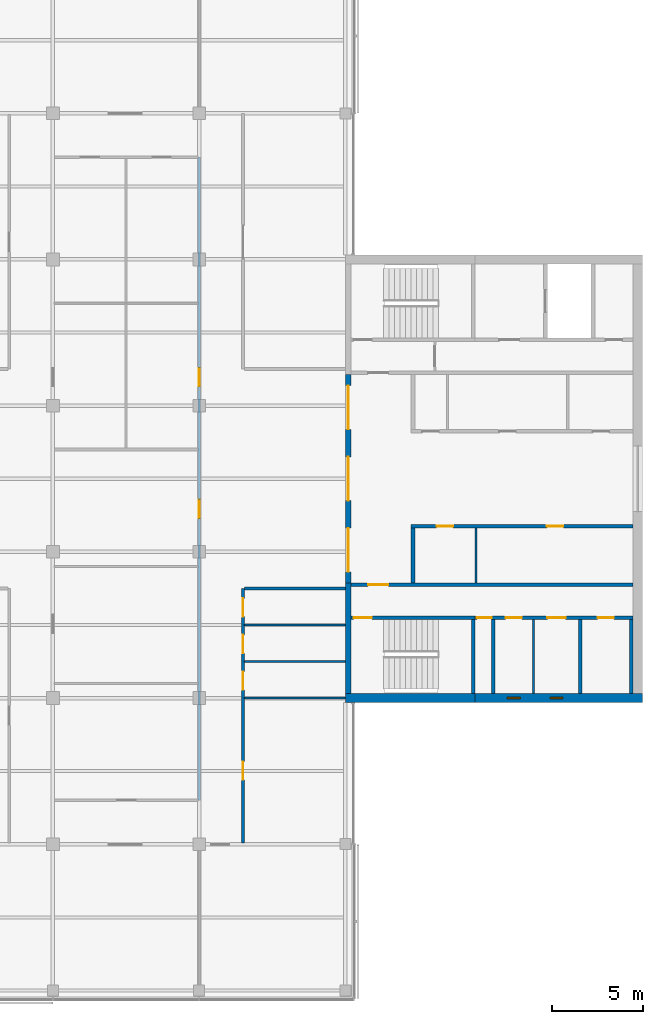
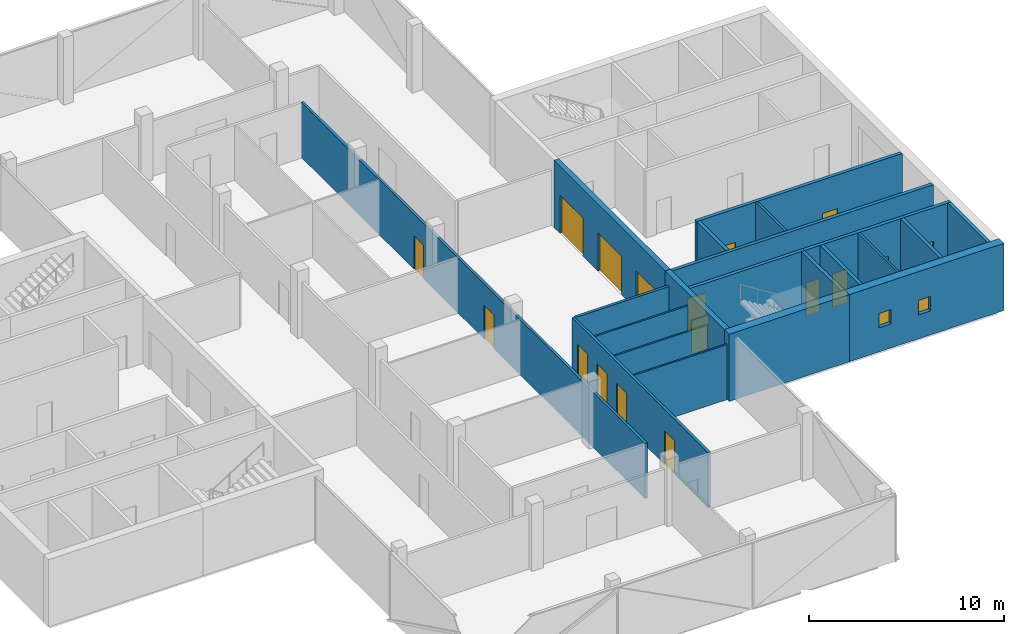
# One storey, part 10 of 15: 21 walls, 17 doors, 2 windows, 19 openings.
"""IFC4 building model written with IfcOpenShell, lengths in metres."""

import ifcopenshell
import ifcopenshell.guid

model = None  # the IFC model being written
_history = None  # IfcOwnerHistory: only IFC2X3 demands one
_inside = {}  # id of a spatial element -> (the spatial element, [elements in it])
_under = {}  # id of a project, library or spatial element -> (it, [spatial elements below it])
_declared = {}  # id of a project -> (the project, [libraries it declares])
_typed = {}  # id of a type object -> (the type object, [elements of that type])
_made_of = {}  # id of a material, layer set ... -> (it, [elements and type objects made of it])


def new_model(schema):
    """Start an empty IFC model of exactly this schema.

    Asked for "IFC4X3", IfcOpenShell would pick the latest addendum, in which some entities
    have other attributes; the version numbers below select the first issue.
    IFC2X3 requires an IfcOwnerHistory on every rooted entity: one is made here for all.
    """
    global model, _history
    if schema == "IFC4X3":
        model = ifcopenshell.file(schema_version=(4, 3, 0, 0))
    else:
        model = ifcopenshell.file(schema=schema)
    _inside.clear()
    _under.clear()
    _declared.clear()
    _typed.clear()
    _made_of.clear()
    _history = None
    if model.schema == "IFC2X3":
        org = make("IfcOrganization", Name="unknown")
        user = make(
            "IfcPersonAndOrganization",
            ThePerson=make("IfcPerson", FamilyName="unknown"),
            TheOrganization=org,
        )
        app = make(
            "IfcApplication",
            ApplicationDeveloper=org,
            Version="unknown",
            ApplicationFullName="unknown",
            ApplicationIdentifier="unknown",
        )
        _history = make(
            "IfcOwnerHistory",
            OwningUser=user,
            OwningApplication=app,
            ChangeAction="ADDED",
            CreationDate=0,
        )
    return model


def make(cls, **values):
    """One entity of the class cls with the attributes given. An attribute that is None is left unset."""
    return model.create_entity(
        cls, **{name: value for name, value in values.items() if value is not None}
    )


def rooted(cls, **values):
    """An entity with a GlobalId (a new one), such as an element, a storey or a relation."""
    return make(cls, GlobalId=ifcopenshell.guid.new(), OwnerHistory=_history, **values)


def si_unit(unit_type, name, prefix=None):
    """IfcSIUnit, for example si_unit("LENGTHUNIT", "METRE", prefix="MILLI")."""
    return make("IfcSIUnit", UnitType=unit_type, Prefix=prefix, Name=name)


def assignment(units):
    """IfcUnitAssignment: the units of a project."""
    return None if units is None else make("IfcUnitAssignment", Units=units)


def point(xyz):
    """IfcCartesianPoint."""
    return None if xyz is None else make("IfcCartesianPoint", Coordinates=xyz)


def direction(xyz):
    """IfcDirection."""
    return None if xyz is None else make("IfcDirection", DirectionRatios=xyz)


def frame(location, z_axis=None, x_axis=None):
    """IfcAxis2Placement3D, a coordinate frame: its origin and axes. An axis left out is left unset."""
    return make(
        "IfcAxis2Placement3D",
        Location=point(location),
        Axis=direction(z_axis),
        RefDirection=direction(x_axis),
    )


def frame_2d(location, x_axis=None):
    """IfcAxis2Placement2D, a coordinate frame in the plane: its origin and x axis."""
    return make(
        "IfcAxis2Placement2D", Location=point(location), RefDirection=direction(x_axis)
    )


def origin():
    """The frame at (0, 0, 0) with its axes left unset."""
    return frame((0.0, 0.0, 0.0))


def place(relative_to, where):
    """IfcLocalPlacement: puts the frame where relative to a parent placement (None: the world)."""
    return make(
        "IfcLocalPlacement", PlacementRelTo=relative_to, RelativePlacement=where
    )


def context(
    kind, dimensions, precision=None, world=None, true_north=None, identifier=None
):
    """IfcGeometricRepresentationContext, for example the 3D "Model" context."""
    return make(
        "IfcGeometricRepresentationContext",
        ContextIdentifier=identifier,
        ContextType=kind,
        CoordinateSpaceDimension=dimensions,
        Precision=precision,
        WorldCoordinateSystem=world,
        TrueNorth=true_north,
    )


def subcontext(parent, identifier, kind, view, scale=None):
    """IfcGeometricRepresentationSubContext, for example "Body" below "Model"."""
    return make(
        "IfcGeometricRepresentationSubContext",
        ContextIdentifier=identifier,
        ContextType=kind,
        ParentContext=parent,
        TargetScale=scale,
        TargetView=view,
    )


def project(units=None, contexts=None):
    """IfcProject with its units and contexts."""
    return rooted(
        "IfcProject",
        Name="project",
        RepresentationContexts=contexts,
        UnitsInContext=assignment(units),
    )


def spatial(cls, under=None, at=None, **own):
    """A site, building, storey or space (cls), placed at a placement, below another one or the project."""
    s = rooted(cls, ObjectPlacement=at, **own)
    if under is not None:
        _under.setdefault(under.id(), (under, []))[1].append(s)
    return s


def profile(cls, at=None, kind="AREA", **sizes):
    """A parametric profile (cls). Its sizes go by their IFC names, for example OverallWidth=200.0."""
    return make(cls, ProfileType=kind, Position=at, **sizes)


def rectangle(**sizes):
    """IfcRectangleProfileDef."""
    return profile("IfcRectangleProfileDef", **sizes)


def extrude(swept, where, along, depth):
    """IfcExtrudedAreaSolid: the profile swept, set in the frame where, extruded along a direction by depth."""
    return make(
        "IfcExtrudedAreaSolid",
        SweptArea=swept,
        Position=where,
        ExtrudedDirection=direction(along),
        Depth=depth,
    )


def shape(context_of_items, identifier, shape_type, items):
    """IfcShapeRepresentation: the items that make up one representation, for example the "Body"."""
    return make(
        "IfcShapeRepresentation",
        ContextOfItems=context_of_items,
        RepresentationIdentifier=identifier,
        RepresentationType=shape_type,
        Items=items,
    )


def material(Name=None, Category=None):
    """IfcMaterial."""
    return make("IfcMaterial", Name=Name, Category=Category)


def layer(
    of_material, thickness, ventilated=None, Name=None, Category=None, Priority=None
):
    """IfcMaterialLayer: one layer of a wall or slab, of a material (None: an air gap)."""
    return make(
        "IfcMaterialLayer",
        Material=of_material,
        LayerThickness=thickness,
        IsVentilated=ventilated,
        Name=Name,
        Category=Category,
        Priority=Priority,
    )


def layer_set(layers, Name=None):
    """IfcMaterialLayerSet."""
    return make("IfcMaterialLayerSet", MaterialLayers=layers, LayerSetName=Name)


def constituent(of_material, Name=None, Category=None, fraction=None):
    """IfcMaterialConstituent: one of the materials an element consists of."""
    return make(
        "IfcMaterialConstituent",
        Name=Name,
        Material=of_material,
        Fraction=fraction,
        Category=Category,
    )


def constituent_set(constituents=None, Name=None):
    """IfcMaterialConstituentSet."""
    return make(
        "IfcMaterialConstituentSet", Name=Name, MaterialConstituents=constituents
    )


def made_of(thing, what):
    """Note that an element or type object is made of a material, layer set ...; save() writes the relation."""
    if what is not None:
        _made_of.setdefault(what.id(), (what, []))[1].append(thing)
    return thing


def type_object(cls, material=None, **own):
    """A type object (cls), such as IfcWallType, which elements share."""
    return made_of(rooted(cls, **own), material)


def element(
    cls,
    number,
    at=None,
    inside=None,
    cuts=None,
    type_object=None,
    material=None,
    context=None,
    identifier="Body",
    shape_type=None,
    held_by="IfcProductDefinitionShape",
    body=None,
    shapes=None,
    **own,
):
    """One element of the class cls, such as IfcWall. Its Tag is "e" and its number.

    at: its placement. inside: the storey or other place that contains it. cuts: it is an
    opening in that element (IfcRelVoidsElement). A single representation is given by context,
    identifier, shape_type and body (its items); several are given by shapes. held_by: the class
    of the entity that holds the representations. save() writes the other relations.
    """
    e = rooted(cls, Tag="e%d" % number, ObjectPlacement=at, **own)
    if body is not None:
        shapes = [shape(context, identifier, shape_type, body)]
    if shapes is not None:
        e.Representation = make(held_by, Representations=shapes)
    if inside is not None:
        _inside.setdefault(inside.id(), (inside, []))[1].append(e)
    if cuts is not None:
        rooted(
            "IfcRelVoidsElement", RelatingBuildingElement=cuts, RelatedOpeningElement=e
        )
    if type_object is not None:
        _typed.setdefault(type_object.id(), (type_object, []))[1].append(e)
    return made_of(e, material)


def fill(opening, filler):
    """IfcRelFillsElement: the door or window that sits in an opening."""
    return rooted(
        "IfcRelFillsElement",
        RelatingOpeningElement=opening,
        RelatedBuildingElement=filler,
    )


def aggregate(whole, parts):
    """IfcRelAggregates: a whole, such as a stair, and the parts it consists of."""
    return rooted("IfcRelAggregates", RelatingObject=whole, RelatedObjects=parts)


def save(model, path):
    """Write the relations noted so far, then the file.

    IfcRelAggregates (storeys below a building ...), IfcRelContainedInSpatialStructure (elements
    in a storey), IfcRelDefinesByType, IfcRelAssociatesMaterial and IfcRelDeclares: one each for
    every whole, place, type object, material and project.
    """
    for whole, parts in _under.values():
        aggregate(whole, parts)
    for where, things in _inside.values():
        rooted(
            "IfcRelContainedInSpatialStructure",
            RelatedElements=things,
            RelatingStructure=where,
        )
    for kind, things in _typed.values():
        rooted("IfcRelDefinesByType", RelatedObjects=things, RelatingType=kind)
    for what, things in _made_of.values():
        rooted("IfcRelAssociatesMaterial", RelatedObjects=things, RelatingMaterial=what)
    for by, libraries in _declared.values():
        rooted("IfcRelDeclares", RelatingContext=by, RelatedDefinitions=libraries)
    model.write(path)


model = new_model("IFC4")

# Units and contexts
model_context = context("Model", 3, precision=1e-05, world=origin(), true_north=direction((0.0, 1.0)))
body_context = subcontext(model_context, "Body", "Model", "MODEL_VIEW")
ifc_project = project(units=[si_unit("LENGTHUNIT", "METRE"), si_unit("AREAUNIT", "SQUARE_METRE"), si_unit("VOLUMEUNIT", "CUBIC_METRE"), si_unit("PLANEANGLEUNIT", "RADIAN"), si_unit("MASSUNIT", "GRAM", prefix="KILO")], contexts=[model_context])

# Site, building, storey
site_placement = place(None, origin())
site = spatial("IfcSite", under=ifc_project, at=site_placement, CompositionType="ELEMENT")
building_placement = place(site_placement, origin())
building = spatial("IfcBuilding", under=site, at=building_placement, Name="Crosswind Convention Tower", CompositionType="ELEMENT")
storey_placement = place(building_placement, frame((0.0, 0.0, 266.10009765625)))
storey = spatial("IfcBuildingStorey", under=building, at=storey_placement, Name="L57", CompositionType="ELEMENT", Elevation=266.10009765625)

# Wall
ifc_material_1 = material(Name="Concrete blockwork", Category="masonry")
ifc_layer_1 = layer(ifc_material_1, 0.199951171875)
ifc_layer_set_1 = layer_set([ifc_layer_1], Name="Blockwork partition wall 200")
wall_type_1 = type_object("IfcWallType", Name="Blockwork partition wall 200", PredefinedType="PARTITIONING", material=ifc_layer_set_1)
wall_1_placement = place(storey_placement, frame((145.10009765625, 88.25, 0.0), z_axis=(0.0, 0.0, 1.0), x_axis=(0.0, 1.0, 0.0)))
element("IfcWall", 1, at=wall_1_placement, inside=storey, type_object=wall_type_1, Name="Wall MRSE E L57", PredefinedType="PARTITIONING", context=body_context, shape_type="SweptSolid", body=[
    extrude(rectangle(XDim=4.050048828125, YDim=0.199951171875, at=frame_2d((2.02490234375, 0.0))), origin(), (0.0, 0.0, 1.0), 4.199951171875),
])

# Wall, openings, doors
ifc_material_2 = material(Name="Concrete C50/60", Category="concrete")
ifc_layer_2 = layer(ifc_material_2, 0.300048828125)
ifc_layer_set_2 = layer_set([ifc_layer_2], Name="Concrete C50/60")
wall_type_2 = type_object("IfcWallType", Name="Concrete inner core wall 300", PredefinedType="SHEAR", material=ifc_layer_set_2)
wall_2_placement = place(storey_placement, frame((137.14990234375, 94.300048828125, 0.0), z_axis=(0.0, 0.0, 1.0), x_axis=(0.0, 1.0, 0.0)))
wall_2 = element("IfcWall", 2, at=wall_2_placement, inside=storey, type_object=wall_type_2, Name="Wall SCR E L57", PredefinedType="SHEAR", context=body_context, shape_type="SweptSolid", body=[
    extrude(rectangle(XDim=11.39990234375, YDim=0.300048828125, at=frame_2d((5.699951171875, 0.0))), origin(), (0.0, 0.0, 1.0), 4.199951171875),
])
opening_1_placement = place(wall_2_placement, frame((0.60009765625, 0.0, 0.0)))
opening_1 = element("IfcOpeningElement", 3, at=opening_1_placement, cuts=wall_2, Name="Opening D100", PredefinedType="OPENING", context=body_context, shape_type="SweptSolid", body=[
    extrude(rectangle(XDim=2.39990234375, YDim=2.39990234375, at=frame_2d((1.199951171875, 1.199951171875))), frame((0.0, 0.159912109375, 0.0), z_axis=(0.0, -1.0, 0.0), x_axis=(1.0, 0.0, 0.0)), (0.0, 0.0, 1.0), 0.320068359375),
])
opening_2_placement = place(wall_2_placement, frame((4.5, 0.0, 0.0)))
opening_2 = element("IfcOpeningElement", 4, at=opening_2_placement, cuts=wall_2, Name="Opening D100", PredefinedType="OPENING", context=body_context, shape_type="SweptSolid", body=[
    extrude(rectangle(XDim=2.39990234375, YDim=2.39990234375, at=frame_2d((1.199951171875, 1.199951171875))), frame((0.0, 0.159912109375, 0.0), z_axis=(0.0, -1.0, 0.0), x_axis=(1.0, 0.0, 0.0)), (0.0, 0.0, 1.0), 0.320068359375),
])
opening_3_placement = place(wall_2_placement, frame((8.39990234375, 0.0, 0.0)))
opening_3 = element("IfcOpeningElement", 5, at=opening_3_placement, cuts=wall_2, Name="Opening D100", PredefinedType="OPENING", context=body_context, shape_type="SweptSolid", body=[
    extrude(rectangle(XDim=2.39990234375, YDim=2.39990234375, at=frame_2d((1.199951171875, 1.199951171875))), frame((0.0, 0.159912109375, 0.0), z_axis=(0.0, -1.0, 0.0), x_axis=(1.0, 0.0, 0.0)), (0.0, 0.0, 1.0), 0.320068359375),
])
ifc_material_3 = material(Name="Steel fire door with glazed vision panels", Category="steel")
door_type_1 = type_object("IfcDoorType", Name="Fire-rated double door 2400x2400", OperationType="DOUBLE_DOOR_SINGLE_SWING", PredefinedType="DOOR", material=ifc_material_3)
door_1_placement = place(opening_1_placement, origin())
door_1 = element("IfcDoor", 6, at=door_1_placement, inside=storey, type_object=door_type_1, Name="Lobby door 1 L57", ObjectType="D100", OperationType="DOUBLE_DOOR_SINGLE_SWING", OverallHeight=2.39990234375, OverallWidth=2.39990234375, PredefinedType="DOOR", context=body_context, shape_type="SweptSolid", body=[
    extrude(rectangle(XDim=2.39990234375, YDim=2.39990234375, at=frame_2d((1.199951171875, 1.199951171875))), frame((0.0, 0.02490234375, 0.0), z_axis=(0.0, -1.0, 0.0), x_axis=(1.0, 0.0, 0.0)), (0.0, 0.0, 1.0), 0.050048828125),
])
fill(opening_1, door_1)
door_2_placement = place(opening_2_placement, origin())
door_2 = element("IfcDoor", 7, at=door_2_placement, inside=storey, type_object=door_type_1, Name="Lobby door 2 L57", ObjectType="D100", OperationType="DOUBLE_DOOR_SINGLE_SWING", OverallHeight=2.39990234375, OverallWidth=2.39990234375, PredefinedType="DOOR", context=body_context, shape_type="SweptSolid", body=[
    extrude(rectangle(XDim=2.39990234375, YDim=2.39990234375, at=frame_2d((1.199951171875, 1.199951171875))), frame((0.0, 0.02490234375, 0.0), z_axis=(0.0, -1.0, 0.0), x_axis=(1.0, 0.0, 0.0)), (0.0, 0.0, 1.0), 0.050048828125),
])
fill(opening_2, door_2)
door_3_placement = place(opening_3_placement, origin())
door_3 = element("IfcDoor", 8, at=door_3_placement, inside=storey, type_object=door_type_1, Name="Lobby door 3 L57", ObjectType="D100", OperationType="DOUBLE_DOOR_SINGLE_SWING", OverallHeight=2.39990234375, OverallWidth=2.39990234375, PredefinedType="DOOR", context=body_context, shape_type="SweptSolid", body=[
    extrude(rectangle(XDim=2.39990234375, YDim=2.39990234375, at=frame_2d((1.199951171875, 1.199951171875))), frame((0.0, 0.02490234375, 0.0), z_axis=(0.0, -1.0, 0.0), x_axis=(1.0, 0.0, 0.0)), (0.0, 0.0, 1.0), 0.050048828125),
])
fill(opening_3, door_3)

# Walls
wall_3_placement = place(storey_placement, frame((137.14990234375, 88.25, 0.0), z_axis=(0.0, 0.0, 1.0), x_axis=(0.0, 1.0, 0.0)))
element("IfcWall", 9, at=wall_3_placement, inside=storey, type_object=wall_type_2, Name="Wall EM E L57", PredefinedType="SHEAR", context=body_context, shape_type="SweptSolid", body=[
    extrude(rectangle(XDim=6.050048828125, YDim=0.300048828125, at=frame_2d((3.02490234375, 0.0))), origin(), (0.0, 0.0, 1.0), 4.199951171875),
])
ifc_layer_3 = layer(ifc_material_2, 0.199951171875)
ifc_layer_set_3 = layer_set([ifc_layer_3], Name="Concrete C50/60")
wall_type_3 = type_object("IfcWallType", Name="Concrete shaft and stair wall 200", PredefinedType="SHEAR", material=ifc_layer_set_3)
wall_4_placement = place(storey_placement, frame((140.699951171875, 94.300048828125, 0.0), z_axis=(0.0, 0.0, 1.0), x_axis=(0.0, 1.0, 0.0)))
element("IfcWall", 10, at=wall_4_placement, inside=storey, type_object=wall_type_3, Name="Wall RMEND E L57", PredefinedType="SHEAR", context=body_context, shape_type="SweptSolid", body=[
    extrude(rectangle(XDim=3.0, YDim=0.199951171875, at=frame_2d((1.5, 0.0))), origin(), (0.0, 0.0, 1.0), 4.199951171875),
])

# Wall, openings, doors
wall_5_placement = place(storey_placement, frame((140.60009765625, 97.39990234375, 0.0), z_axis=(0.0, 0.0, 1.0), x_axis=(1.0, 0.0, 0.0)))
wall_5 = element("IfcWall", 11, at=wall_5_placement, inside=storey, type_object=wall_type_3, Name="Wall RMFRONT E L57", PredefinedType="SHEAR", context=body_context, shape_type="SweptSolid", body=[
    extrude(rectangle(XDim=12.14990234375, YDim=0.199951171875, at=frame_2d((6.074951171875, 0.0))), origin(), (0.0, 0.0, 1.0), 4.199951171875),
])
opening_4_placement = place(wall_5_placement, frame((1.391845703125, 0.0, 0.0)))
opening_4 = element("IfcOpeningElement", 12, at=opening_4_placement, cuts=wall_5, Name="Opening D106", PredefinedType="OPENING", context=body_context, shape_type="SweptSolid", body=[
    extrude(rectangle(XDim=0.89990234375, YDim=2.10009765625, at=frame_2d((0.449951171875, 1.050048828125))), frame((0.0, 0.10986328125, 0.0), z_axis=(0.0, -1.0, 0.0), x_axis=(1.0, 0.0, 0.0)), (0.0, 0.0, 1.0), 0.219970703125),
])
opening_5_placement = place(wall_5_placement, frame((7.42919921875, 0.0, 0.0)))
opening_5 = element("IfcOpeningElement", 13, at=opening_5_placement, cuts=wall_5, Name="Opening D106", PredefinedType="OPENING", context=body_context, shape_type="SweptSolid", body=[
    extrude(rectangle(XDim=0.89990234375, YDim=2.10009765625, at=frame_2d((0.449951171875, 1.050048828125))), frame((0.0, 0.10986328125, 0.0), z_axis=(0.0, -1.0, 0.0), x_axis=(1.0, 0.0, 0.0)), (0.0, 0.0, 1.0), 0.219970703125),
])
ifc_material_4 = material(Name="Timber door", Category="wood")
door_type_2 = type_object("IfcDoorType", Name="Single leaf door 900x2100", OperationType="NOTDEFINED", PredefinedType="DOOR", material=ifc_material_4)
door_4_placement = place(opening_4_placement, frame((0.89990234375, 0.0, 0.0), z_axis=(0.0, 0.0, 1.0), x_axis=(-1.0, 0.0, 0.0)))
door_4 = element("IfcDoor", 14, at=door_4_placement, inside=storey, type_object=door_type_2, Name="Door to copy and print room L57", ObjectType="D106", OperationType="SINGLE_SWING_LEFT", OverallHeight=2.10009765625, OverallWidth=0.89990234375, PredefinedType="DOOR", context=body_context, shape_type="SweptSolid", body=[
    extrude(rectangle(XDim=0.89990234375, YDim=2.10009765625, at=frame_2d((0.449951171875, 1.050048828125))), frame((0.0, 0.02490234375, 0.0), z_axis=(0.0, -1.0, 0.0), x_axis=(1.0, 0.0, 0.0)), (0.0, 0.0, 1.0), 0.050048828125),
])
fill(opening_4, door_4)
door_5_placement = place(opening_5_placement, frame((0.89990234375, 0.0, 0.0), z_axis=(0.0, 0.0, 1.0), x_axis=(-1.0, 0.0, 0.0)))
door_5 = element("IfcDoor", 15, at=door_5_placement, inside=storey, type_object=door_type_2, Name="Door to meeting room L57", ObjectType="D106", OperationType="SINGLE_SWING_LEFT", OverallHeight=2.10009765625, OverallWidth=0.89990234375, PredefinedType="DOOR", context=body_context, shape_type="SweptSolid", body=[
    extrude(rectangle(XDim=0.89990234375, YDim=2.10009765625, at=frame_2d((0.449951171875, 1.050048828125))), frame((0.0, 0.02490234375, 0.0), z_axis=(0.0, -1.0, 0.0), x_axis=(1.0, 0.0, 0.0)), (0.0, 0.0, 1.0), 0.050048828125),
])
fill(opening_5, door_5)

# Wall, opening, door
wall_6_placement = place(storey_placement, frame((137.300048828125, 94.199951171875, 0.0), z_axis=(0.0, 0.0, 1.0), x_axis=(1.0, 0.0, 0.0)))
wall_6 = element("IfcWall", 16, at=wall_6_placement, inside=storey, type_object=wall_type_3, Name="Wall HM E L57", PredefinedType="SHEAR", context=body_context, shape_type="SweptSolid", body=[
    extrude(rectangle(XDim=15.449951171875, YDim=0.199951171875, at=frame_2d((7.72509765625, 0.0))), origin(), (0.0, 0.0, 1.0), 4.199951171875),
])
opening_6_placement = place(wall_6_placement, frame((0.949951171875, 0.0, 0.0)))
opening_6 = element("IfcOpeningElement", 17, at=opening_6_placement, cuts=wall_6, Name="Opening D104", PredefinedType="OPENING", context=body_context, shape_type="SweptSolid", body=[
    extrude(rectangle(XDim=1.10009765625, YDim=2.10009765625, at=frame_2d((0.550048828125, 1.050048828125))), frame((0.0, 0.10986328125, 0.0), z_axis=(0.0, -1.0, 0.0), x_axis=(1.0, 0.0, 0.0)), (0.0, 0.0, 1.0), 0.219970703125),
])
ifc_material_5 = material(Name="Steel fire door", Category="steel")
door_type_3 = type_object("IfcDoorType", Name="Fire-rated single door 1100x2100", OperationType="NOTDEFINED", PredefinedType="DOOR", material=ifc_material_5)
door_6_placement = place(opening_6_placement, origin())
door_6 = element("IfcDoor", 18, at=door_6_placement, inside=storey, type_object=door_type_3, Name="Corridor door L57", ObjectType="D104", OperationType="SINGLE_SWING_LEFT", OverallHeight=2.10009765625, OverallWidth=1.10009765625, PredefinedType="DOOR", context=body_context, shape_type="SweptSolid", body=[
    extrude(rectangle(XDim=1.10009765625, YDim=2.10009765625, at=frame_2d((0.550048828125, 1.050048828125))), frame((0.0, 0.02490234375, 0.0), z_axis=(0.0, -1.0, 0.0), x_axis=(1.0, 0.0, 0.0)), (0.0, 0.0, 1.0), 0.050048828125),
])
fill(opening_6, door_6)

# Walls
for number, where, z_axis, x_axis, name in (
    (19, (144.0, 88.25, 0.0), (0.0, 0.0, 1.0), (0.0, 1.0, 0.0), "Wall MSE E L57"),
    (20, (149.85009765625, 88.25, 0.0), (0.0, 0.0, 1.0), (0.0, 1.0, 0.0), "Wall MFSW E L57"),
    (21, (152.64990234375, 88.25, 0.0), (0.0, 0.0, 1.0), (0.0, 1.0, 0.0), "Wall MFSE E L57"),
):
    element("IfcWall", number, at=place(storey_placement, frame(where, z_axis=z_axis, x_axis=x_axis)), inside=storey, type_object=wall_type_3, Name=name, PredefinedType="SHEAR", context=body_context, shape_type="SweptSolid", body=[
        extrude(rectangle(XDim=4.050048828125, YDim=0.199951171875, at=frame_2d((2.02490234375, 0.0))), origin(), (0.0, 0.0, 1.0), 4.199951171875),
    ])

# Wall, opening, door
wall_7_placement = place(storey_placement, frame((137.300048828125, 92.39990234375, 0.0), z_axis=(0.0, 0.0, 1.0), x_axis=(1.0, 0.0, 0.0)))
wall_7 = element("IfcWall", 22, at=wall_7_placement, inside=storey, type_object=wall_type_3, Name="Wall MCW E L57", PredefinedType="SHEAR", context=body_context, shape_type="SweptSolid", body=[
    extrude(rectangle(XDim=6.800048828125, YDim=0.199951171875, at=frame_2d((3.39990234375, 0.0))), origin(), (0.0, 0.0, 1.0), 4.199951171875),
])
opening_7_placement = place(wall_7_placement, frame((0.14990234375, 0.0, 0.0)))
opening_7 = element("IfcOpeningElement", 23, at=opening_7_placement, cuts=wall_7, Name="Opening D103", PredefinedType="OPENING", context=body_context, shape_type="SweptSolid", body=[
    extrude(rectangle(XDim=1.0, YDim=2.10009765625, at=frame_2d((0.5, 1.050048828125))), frame((0.0, 0.10986328125, 0.0), z_axis=(0.0, -1.0, 0.0), x_axis=(1.0, 0.0, 0.0)), (0.0, 0.0, 1.0), 0.219970703125),
])
door_type_4 = type_object("IfcDoorType", Name="Fire-rated single door 1000x2100", OperationType="NOTDEFINED", PredefinedType="DOOR", material=ifc_material_5)
door_7_placement = place(opening_7_placement, frame((1.0, 0.0, 0.0), z_axis=(0.0, 0.0, 1.0), x_axis=(-1.0, 0.0, 0.0)))
door_7 = element("IfcDoor", 24, at=door_7_placement, inside=storey, type_object=door_type_4, Name="Stair ST2 door L57", ObjectType="D103", OperationType="SINGLE_SWING_RIGHT", OverallHeight=2.10009765625, OverallWidth=1.0, PredefinedType="DOOR", context=body_context, shape_type="SweptSolid", body=[
    extrude(rectangle(XDim=1.0, YDim=2.10009765625, at=frame_2d((0.5, 1.050048828125))), frame((0.0, 0.02490234375, 0.0), z_axis=(0.0, -1.0, 0.0), x_axis=(1.0, 0.0, 0.0)), (0.0, 0.0, 1.0), 0.050048828125),
])
fill(opening_7, door_7)

# Wall, openings, doors
wall_8_placement = place(storey_placement, frame((144.10009765625, 92.39990234375, 0.0), z_axis=(0.0, 0.0, 1.0), x_axis=(1.0, 0.0, 0.0)))
wall_8 = element("IfcWall", 25, at=wall_8_placement, inside=storey, type_object=wall_type_3, Name="Wall MCX E L57", PredefinedType="SHEAR", context=body_context, shape_type="SweptSolid", body=[
    extrude(rectangle(XDim=8.64990234375, YDim=0.199951171875, at=frame_2d((4.324951171875, 0.0))), origin(), (0.0, 0.0, 1.0), 4.199951171875),
])
opening_8_placement = place(wall_8_placement, frame((0.10009765625, 0.0, 0.0)))
opening_8 = element("IfcOpeningElement", 26, at=opening_8_placement, cuts=wall_8, Name="Opening D105", PredefinedType="OPENING", context=body_context, shape_type="SweptSolid", body=[
    extrude(rectangle(XDim=0.800048828125, YDim=2.10009765625, at=frame_2d((0.39990234375, 1.050048828125))), frame((0.0, 0.10986328125, 0.0), z_axis=(0.0, -1.0, 0.0), x_axis=(1.0, 0.0, 0.0)), (0.0, 0.0, 1.0), 0.219970703125),
])
opening_9_placement = place(wall_8_placement, frame((1.665283203125, 0.0, 0.0)))
opening_9 = element("IfcOpeningElement", 27, at=opening_9_placement, cuts=wall_8, Name="Opening D106", PredefinedType="OPENING", context=body_context, shape_type="SweptSolid", body=[
    extrude(rectangle(XDim=0.89990234375, YDim=2.10009765625, at=frame_2d((0.449951171875, 1.050048828125))), frame((0.0, 0.10986328125, 0.0), z_axis=(0.0, -1.0, 0.0), x_axis=(1.0, 0.0, 0.0)), (0.0, 0.0, 1.0), 0.219970703125),
])
opening_10_placement = place(wall_8_placement, frame((3.95263671875, 0.0, 0.0)))
opening_10 = element("IfcOpeningElement", 28, at=opening_10_placement, cuts=wall_8, Name="Opening D103", PredefinedType="OPENING", context=body_context, shape_type="SweptSolid", body=[
    extrude(rectangle(XDim=1.0, YDim=2.10009765625, at=frame_2d((0.5, 1.050048828125))), frame((0.0, 0.10986328125, 0.0), z_axis=(0.0, -1.0, 0.0), x_axis=(1.0, 0.0, 0.0)), (0.0, 0.0, 1.0), 0.219970703125),
])
opening_11_placement = place(wall_8_placement, frame((6.699951171875, 0.0, 0.0)))
opening_11 = element("IfcOpeningElement", 29, at=opening_11_placement, cuts=wall_8, Name="Opening D106", PredefinedType="OPENING", context=body_context, shape_type="SweptSolid", body=[
    extrude(rectangle(XDim=0.89990234375, YDim=2.10009765625, at=frame_2d((0.449951171875, 1.050048828125))), frame((0.0, 0.10986328125, 0.0), z_axis=(0.0, -1.0, 0.0), x_axis=(1.0, 0.0, 0.0)), (0.0, 0.0, 1.0), 0.219970703125),
])
door_8_placement = place(opening_10_placement, frame((1.0, 0.0, 0.0), z_axis=(0.0, 0.0, 1.0), x_axis=(-1.0, 0.0, 0.0)))
door_8 = element("IfcDoor", 30, at=door_8_placement, inside=storey, type_object=door_type_4, Name="Door to accessible wc L57", ObjectType="D103", OperationType="SINGLE_SWING_LEFT", OverallHeight=2.10009765625, OverallWidth=1.0, PredefinedType="DOOR", context=body_context, shape_type="SweptSolid", body=[
    extrude(rectangle(XDim=1.0, YDim=2.10009765625, at=frame_2d((0.5, 1.050048828125))), frame((0.0, 0.02490234375, 0.0), z_axis=(0.0, -1.0, 0.0), x_axis=(1.0, 0.0, 0.0)), (0.0, 0.0, 1.0), 0.050048828125),
])
fill(opening_10, door_8)
door_type_5 = type_object("IfcDoorType", Name="Riser access door 800x2100", OperationType="NOTDEFINED", PredefinedType="DOOR", material=ifc_material_5)
door_9_placement = place(opening_8_placement, frame((0.800048828125, 0.0, 0.0), z_axis=(0.0, 0.0, 1.0), x_axis=(-1.0, 0.0, 0.0)))
door_9 = element("IfcDoor", 31, at=door_9_placement, inside=storey, type_object=door_type_5, Name="Riser door L57", ObjectType="D105", OperationType="SINGLE_SWING_LEFT", OverallHeight=2.10009765625, OverallWidth=0.800048828125, PredefinedType="DOOR", context=body_context, shape_type="SweptSolid", body=[
    extrude(rectangle(XDim=0.800048828125, YDim=2.10009765625, at=frame_2d((0.39990234375, 1.050048828125))), frame((0.0, 0.02490234375, 0.0), z_axis=(0.0, -1.0, 0.0), x_axis=(1.0, 0.0, 0.0)), (0.0, 0.0, 1.0), 0.050048828125),
])
fill(opening_8, door_9)
door_10_placement = place(opening_9_placement, frame((0.89990234375, 0.0, 0.0), z_axis=(0.0, 0.0, 1.0), x_axis=(-1.0, 0.0, 0.0)))
door_10 = element("IfcDoor", 32, at=door_10_placement, inside=storey, type_object=door_type_2, Name="Door to wc L57", ObjectType="D106", OperationType="SINGLE_SWING_LEFT", OverallHeight=2.10009765625, OverallWidth=0.89990234375, PredefinedType="DOOR", context=body_context, shape_type="SweptSolid", body=[
    extrude(rectangle(XDim=0.89990234375, YDim=2.10009765625, at=frame_2d((0.449951171875, 1.050048828125))), frame((0.0, 0.02490234375, 0.0), z_axis=(0.0, -1.0, 0.0), x_axis=(1.0, 0.0, 0.0)), (0.0, 0.0, 1.0), 0.050048828125),
])
fill(opening_9, door_10)
door_11_placement = place(opening_11_placement, frame((0.89990234375, 0.0, 0.0), z_axis=(0.0, 0.0, 1.0), x_axis=(-1.0, 0.0, 0.0)))
door_11 = element("IfcDoor", 33, at=door_11_placement, inside=storey, type_object=door_type_2, Name="Door to accessible wc L57", ObjectType="D106", OperationType="SINGLE_SWING_LEFT", OverallHeight=2.10009765625, OverallWidth=0.89990234375, PredefinedType="DOOR", context=body_context, shape_type="SweptSolid", body=[
    extrude(rectangle(XDim=0.89990234375, YDim=2.10009765625, at=frame_2d((0.449951171875, 1.050048828125))), frame((0.0, 0.02490234375, 0.0), z_axis=(0.0, -1.0, 0.0), x_axis=(1.0, 0.0, 0.0)), (0.0, 0.0, 1.0), 0.050048828125),
])
fill(opening_11, door_11)

# Walls
ifc_material_6 = material(Name="Gypsum plasterboard partition", Category="gypsum")
ifc_layer_4 = layer(ifc_material_6, 0.125)
ifc_layer_set_4 = layer_set([ifc_layer_4], Name="Drywall partition wall 125")
wall_type_4 = type_object("IfcWallType", Name="Drywall partition wall 125", PredefinedType="PARTITIONING", material=ifc_layer_set_4)
wall_9_placement = place(storey_placement, frame((144.14599609375, 94.300048828125, 0.0), z_axis=(0.0, 0.0, 1.0), x_axis=(0.0, 1.0, 0.0)))
element("IfcWall", 34, at=wall_9_placement, inside=storey, type_object=wall_type_4, Name="Wall RMP1 E L57", PredefinedType="PARTITIONING", context=body_context, shape_type="SweptSolid", body=[
    extrude(rectangle(XDim=3.0, YDim=0.125, at=frame_2d((1.5, 0.0))), origin(), (0.0, 0.0, 1.0), 4.199951171875),
])
wall_10_placement = place(storey_placement, frame((147.29296875, 88.25, 0.0), z_axis=(0.0, 0.0, 1.0), x_axis=(0.0, 1.0, 0.0)))
element("IfcWall", 35, at=wall_10_placement, inside=storey, type_object=wall_type_4, Name="Wall MWP1 E L57", PredefinedType="PARTITIONING", context=body_context, shape_type="SweptSolid", body=[
    extrude(rectangle(XDim=4.050048828125, YDim=0.125, at=frame_2d((2.02490234375, 0.0))), origin(), (0.0, 0.0, 1.0), 4.199951171875),
])
ifc_material_7 = material(Name="Plasterboard partition", Category="gypsum")
ifc_layer_5 = layer(ifc_material_7, 0.10009765625)
ifc_layer_set_5 = layer_set([ifc_layer_5], Name="PARTITION 100 METAL STUD")
wall_type_5 = type_object("IfcWallType", Name="PARTITION 100 METAL STUD", PredefinedType="PARTITIONING", material=ifc_layer_set_5)
for number, where, z_axis, x_axis, name in (
    (36, (131.47509765625, 88.0, 0.0), (0.0, 0.0, 1.0), (1.0, 0.0, 0.0), "Partition wall WT40"),
    (37, (131.47509765625, 90.0, 0.0), (0.0, 0.0, 1.0), (1.0, 0.0, 0.0), "Partition wall WT40"),
    (38, (131.47509765625, 92.0, 0.0), (0.0, 0.0, 1.0), (1.0, 0.0, 0.0), "Partition wall WT40"),
):
    element("IfcWall", number, at=place(storey_placement, frame(where, z_axis=z_axis, x_axis=x_axis)), inside=storey, type_object=wall_type_5, Name=name, PredefinedType="PARTITIONING", context=body_context, shape_type="SweptSolid", body=[
        extrude(rectangle(XDim=5.52490234375, YDim=0.10009765625, at=frame_2d((2.762451171875, 0.0))), origin(), (0.0, 0.0, 1.0), 3.442626953125),
    ])

# Wall, openings, doors
ifc_material_8 = material(Name="Fire-board partition with mineral wool", Category="gypsum")
ifc_layer_6 = layer(ifc_material_8, 0.14990234375)
ifc_layer_set_6 = layer_set([ifc_layer_6], Name="TENANCY WALL 150 TWO-HOUR BOARD")
wall_type_6 = type_object("IfcWallType", Name="TENANCY WALL 150 TWO-HOUR BOARD", PredefinedType="PARTITIONING", material=ifc_layer_set_6)
wall_11_placement = place(storey_placement, frame((129.0, 82.39990234375, 0.0), z_axis=(0.0, 0.0, 1.0), x_axis=(0.0, 1.0, 0.0)))
wall_11 = element("IfcWall", 39, at=wall_11_placement, inside=storey, type_object=wall_type_6, Name="Tenancy wall WT41", PredefinedType="PARTITIONING", context=body_context, shape_type="SweptSolid", body=[
    extrude(rectangle(XDim=35.2001953125, YDim=0.14990234375, at=frame_2d((17.60009765625, 0.0))), origin(), (0.0, 0.0, 1.0), 3.442626953125),
])
opening_12_placement = place(wall_11_placement, frame((15.449951171875, 0.0, 0.0)))
opening_12 = element("IfcOpeningElement", 40, at=opening_12_placement, cuts=wall_11, Name="Opening L57-62", PredefinedType="OPENING", context=body_context, shape_type="SweptSolid", body=[
    extrude(rectangle(XDim=1.0, YDim=2.10009765625, at=frame_2d((0.5, 1.050048828125))), frame((0.0, 0.0849609375, 0.0), z_axis=(0.0, -1.0, 0.0), x_axis=(1.0, 0.0, 0.0)), (0.0, 0.0, 1.0), 0.169921875),
])
opening_13_placement = place(wall_11_placement, frame((22.64990234375, 0.0, 0.0)))
opening_13 = element("IfcOpeningElement", 41, at=opening_13_placement, cuts=wall_11, Name="Opening L57-64", PredefinedType="OPENING", context=body_context, shape_type="SweptSolid", body=[
    extrude(rectangle(XDim=1.0, YDim=2.10009765625, at=frame_2d((0.5, 1.050048828125))), frame((0.0, 0.0849609375, 0.0), z_axis=(0.0, -1.0, 0.0), x_axis=(1.0, 0.0, 0.0)), (0.0, 0.0, 1.0), 0.169921875),
])
ifc_material_9 = material(Name="Timber fire door", Category="wood")
door_type_6 = type_object("IfcDoorType", Name="TENANCY ENTRANCE DOOR 1000X2100 FD30S", OperationType="NOTDEFINED", PredefinedType="DOOR", material=ifc_material_9)
door_12_placement = place(opening_12_placement, origin())
door_12 = element("IfcDoor", 42, at=door_12_placement, inside=storey, type_object=door_type_6, Name="Door L57-62", ObjectType="D41", OperationType="SINGLE_SWING_LEFT", OverallHeight=2.10009765625, OverallWidth=1.0, PredefinedType="DOOR", context=body_context, shape_type="SweptSolid", body=[
    extrude(rectangle(XDim=1.0, YDim=2.10009765625, at=frame_2d((0.5, 1.050048828125))), frame((0.0, 0.02490234375, 0.0), z_axis=(0.0, -1.0, 0.0), x_axis=(1.0, 0.0, 0.0)), (0.0, 0.0, 1.0), 0.050048828125),
])
fill(opening_12, door_12)
door_13_placement = place(opening_13_placement, origin())
door_13 = element("IfcDoor", 43, at=door_13_placement, inside=storey, type_object=door_type_6, Name="Door L57-64", ObjectType="D41", OperationType="SINGLE_SWING_LEFT", OverallHeight=2.10009765625, OverallWidth=1.0, PredefinedType="DOOR", context=body_context, shape_type="SweptSolid", body=[
    extrude(rectangle(XDim=1.0, YDim=2.10009765625, at=frame_2d((0.5, 1.050048828125))), frame((0.0, 0.02490234375, 0.0), z_axis=(0.0, -1.0, 0.0), x_axis=(1.0, 0.0, 0.0)), (0.0, 0.0, 1.0), 0.050048828125),
])
fill(opening_13, door_13)

wall_12_placement = place(storey_placement, frame((131.39990234375, 80.074951171875, 0.0), z_axis=(0.0, 0.0, 1.0), x_axis=(0.0, 1.0, 0.0)))
wall_12 = element("IfcWall", 44, at=wall_12_placement, inside=storey, type_object=wall_type_6, Name="Tenancy wall WT41", PredefinedType="PARTITIONING", context=body_context, shape_type="SweptSolid", body=[
    extrude(rectangle(XDim=13.925048828125, YDim=0.14990234375, at=frame_2d((6.96240234375, 0.0))), origin(), (0.0, 0.0, 1.0), 3.442626953125),
])
opening_14_placement = place(wall_12_placement, frame((12.375, 0.0, 0.0)))
opening_14 = element("IfcOpeningElement", 45, at=opening_14_placement, cuts=wall_12, Name="Opening L57-51", PredefinedType="OPENING", context=body_context, shape_type="SweptSolid", body=[
    extrude(rectangle(XDim=1.0, YDim=2.10009765625, at=frame_2d((0.5, 1.050048828125))), frame((0.0, 0.0849609375, 0.0), z_axis=(0.0, -1.0, 0.0), x_axis=(1.0, 0.0, 0.0)), (0.0, 0.0, 1.0), 0.169921875),
])
opening_15_placement = place(wall_12_placement, frame((10.375, 0.0, 0.0)))
opening_15 = element("IfcOpeningElement", 46, at=opening_15_placement, cuts=wall_12, Name="Opening L57-52", PredefinedType="OPENING", context=body_context, shape_type="SweptSolid", body=[
    extrude(rectangle(XDim=1.0, YDim=2.10009765625, at=frame_2d((0.5, 1.050048828125))), frame((0.0, 0.0849609375, 0.0), z_axis=(0.0, -1.0, 0.0), x_axis=(1.0, 0.0, 0.0)), (0.0, 0.0, 1.0), 0.169921875),
])
opening_16_placement = place(wall_12_placement, frame((8.375, 0.0, 0.0)))
opening_16 = element("IfcOpeningElement", 47, at=opening_16_placement, cuts=wall_12, Name="Opening L57-53", PredefinedType="OPENING", context=body_context, shape_type="SweptSolid", body=[
    extrude(rectangle(XDim=1.0, YDim=2.10009765625, at=frame_2d((0.5, 1.050048828125))), frame((0.0, 0.0849609375, 0.0), z_axis=(0.0, -1.0, 0.0), x_axis=(1.0, 0.0, 0.0)), (0.0, 0.0, 1.0), 0.169921875),
])
opening_17_placement = place(wall_12_placement, frame((3.449951171875, 0.0, 0.0)))
opening_17 = element("IfcOpeningElement", 48, at=opening_17_placement, cuts=wall_12, Name="Opening L57-54", PredefinedType="OPENING", context=body_context, shape_type="SweptSolid", body=[
    extrude(rectangle(XDim=1.0, YDim=2.10009765625, at=frame_2d((0.5, 1.050048828125))), frame((0.0, 0.0849609375, 0.0), z_axis=(0.0, -1.0, 0.0), x_axis=(1.0, 0.0, 0.0)), (0.0, 0.0, 1.0), 0.169921875),
])
door_14_placement = place(opening_14_placement, frame((1.0, 0.0, 0.0), z_axis=(0.0, 0.0, 1.0), x_axis=(-1.0, 0.0, 0.0)))
door_14 = element("IfcDoor", 49, at=door_14_placement, inside=storey, type_object=door_type_6, Name="Door L57-51", ObjectType="D41", OperationType="SINGLE_SWING_RIGHT", OverallHeight=2.10009765625, OverallWidth=1.0, PredefinedType="DOOR", context=body_context, shape_type="SweptSolid", body=[
    extrude(rectangle(XDim=1.0, YDim=2.10009765625, at=frame_2d((0.5, 1.050048828125))), frame((0.0, 0.02490234375, 0.0), z_axis=(0.0, -1.0, 0.0), x_axis=(1.0, 0.0, 0.0)), (0.0, 0.0, 1.0), 0.050048828125),
])
fill(opening_14, door_14)
door_15_placement = place(opening_15_placement, frame((1.0, 0.0, 0.0), z_axis=(0.0, 0.0, 1.0), x_axis=(-1.0, 0.0, 0.0)))
door_15 = element("IfcDoor", 50, at=door_15_placement, inside=storey, type_object=door_type_6, Name="Door L57-52", ObjectType="D41", OperationType="SINGLE_SWING_RIGHT", OverallHeight=2.10009765625, OverallWidth=1.0, PredefinedType="DOOR", context=body_context, shape_type="SweptSolid", body=[
    extrude(rectangle(XDim=1.0, YDim=2.10009765625, at=frame_2d((0.5, 1.050048828125))), frame((0.0, 0.02490234375, 0.0), z_axis=(0.0, -1.0, 0.0), x_axis=(1.0, 0.0, 0.0)), (0.0, 0.0, 1.0), 0.050048828125),
])
fill(opening_15, door_15)
door_16_placement = place(opening_16_placement, frame((1.0, 0.0, 0.0), z_axis=(0.0, 0.0, 1.0), x_axis=(-1.0, 0.0, 0.0)))
door_16 = element("IfcDoor", 51, at=door_16_placement, inside=storey, type_object=door_type_6, Name="Door L57-53", ObjectType="D41", OperationType="SINGLE_SWING_RIGHT", OverallHeight=2.10009765625, OverallWidth=1.0, PredefinedType="DOOR", context=body_context, shape_type="SweptSolid", body=[
    extrude(rectangle(XDim=1.0, YDim=2.10009765625, at=frame_2d((0.5, 1.050048828125))), frame((0.0, 0.02490234375, 0.0), z_axis=(0.0, -1.0, 0.0), x_axis=(1.0, 0.0, 0.0)), (0.0, 0.0, 1.0), 0.050048828125),
])
fill(opening_16, door_16)
door_17_placement = place(opening_17_placement, frame((1.0, 0.0, 0.0), z_axis=(0.0, 0.0, 1.0), x_axis=(-1.0, 0.0, 0.0)))
door_17 = element("IfcDoor", 52, at=door_17_placement, inside=storey, type_object=door_type_6, Name="Door L57-54", ObjectType="D41", OperationType="SINGLE_SWING_LEFT", OverallHeight=2.10009765625, OverallWidth=1.0, PredefinedType="DOOR", context=body_context, shape_type="SweptSolid", body=[
    extrude(rectangle(XDim=1.0, YDim=2.10009765625, at=frame_2d((0.5, 1.050048828125))), frame((0.0, 0.02490234375, 0.0), z_axis=(0.0, -1.0, 0.0), x_axis=(1.0, 0.0, 0.0)), (0.0, 0.0, 1.0), 0.050048828125),
])
fill(opening_17, door_17)

# Walls
wall_13_placement = place(storey_placement, frame((131.47509765625, 94.0, 0.0), z_axis=(0.0, 0.0, 1.0), x_axis=(1.0, 0.0, 0.0)))
element("IfcWall", 53, at=wall_13_placement, inside=storey, type_object=wall_type_6, Name="Tenancy wall WT41", PredefinedType="PARTITIONING", context=body_context, shape_type="SweptSolid", body=[
    extrude(rectangle(XDim=5.52490234375, YDim=0.14990234375, at=frame_2d((2.762451171875, 0.0))), origin(), (0.0, 0.0, 1.0), 3.442626953125),
])
ifc_material_10 = material(Name="Concrete C60/75", Category="concrete")
ifc_constituent_1 = constituent(ifc_material_10, Name="Structure")
ifc_material_11 = material(Name="Terracotta rainscreen", Category="ceramic")
ifc_constituent_2 = constituent(ifc_material_11, Name="Facing")
ifc_constituent_set = constituent_set(constituents=[ifc_constituent_1, ifc_constituent_2], Name="Concrete C60/75, Terracotta rainscreen")
wall_type_7 = type_object("IfcWallType", Name="Terracotta rainscreen on concrete core wall 500", PredefinedType="SHEAR", material=ifc_constituent_set)
wall_14_placement = place(storey_placement, frame((137.0, 88.0, 0.0), z_axis=(0.0, 0.0, 1.0), x_axis=(1.0, 0.0, 0.0)))
element("IfcWall", 54, at=wall_14_placement, inside=storey, type_object=wall_type_7, Name="Wall S1 E L57", PredefinedType="SHEAR", context=body_context, shape_type="SweptSolid", body=[
    extrude(rectangle(XDim=7.10009765625, YDim=0.5, at=frame_2d((3.550048828125, 0.0))), origin(), (0.0, 0.0, 1.0), 4.199951171875),
])

# Wall, openings, windows
wall_15_placement = place(storey_placement, frame((144.10009765625, 88.0, 0.0), z_axis=(0.0, 0.0, 1.0), x_axis=(1.0, 0.0, 0.0)))
wall_15 = element("IfcWall", 55, at=wall_15_placement, inside=storey, type_object=wall_type_7, Name="Wall S2 E L57", PredefinedType="SHEAR", context=body_context, shape_type="SweptSolid", body=[
    extrude(rectangle(XDim=9.14990234375, YDim=0.5, at=frame_2d((4.574951171875, 0.0))), origin(), (0.0, 0.0, 1.0), 4.199951171875),
])
opening_18_placement = place(wall_15_placement, frame((1.76513671875, 0.0, 1.5)))
opening_18 = element("IfcOpeningElement", 56, at=opening_18_placement, cuts=wall_15, Name="Opening W2", PredefinedType="OPENING", context=body_context, shape_type="SweptSolid", body=[
    extrude(rectangle(XDim=0.699951171875, YDim=0.89990234375, at=frame_2d((0.35009765625, 0.449951171875))), frame((0.0, 0.260009765625, 0.0), z_axis=(0.0, -1.0, 0.0), x_axis=(1.0, 0.0, 0.0)), (0.0, 0.0, 1.0), 0.52001953125),
])
opening_19_placement = place(wall_15_placement, frame((4.102783203125, 0.0, 1.5)))
opening_19 = element("IfcOpeningElement", 57, at=opening_19_placement, cuts=wall_15, Name="Opening W2", PredefinedType="OPENING", context=body_context, shape_type="SweptSolid", body=[
    extrude(rectangle(XDim=0.699951171875, YDim=0.89990234375, at=frame_2d((0.35009765625, 0.449951171875))), frame((0.0, 0.260009765625, 0.0), z_axis=(0.0, -1.0, 0.0), x_axis=(1.0, 0.0, 0.0)), (0.0, 0.0, 1.0), 0.52001953125),
])
ifc_material_12 = material(Name="Obscure glass in aluminium frame", Category="aluminium")
window_type = type_object("IfcWindowType", Name="WC window 700x900", PartitioningType="SINGLE_PANEL", PredefinedType="WINDOW", material=ifc_material_12)
window_1_placement = place(opening_18_placement, origin())
window_1 = element("IfcWindow", 58, at=window_1_placement, inside=storey, type_object=window_type, Name="WC window L57", ObjectType="W2", OverallHeight=0.89990234375, OverallWidth=0.699951171875, PartitioningType="SINGLE_PANEL", PredefinedType="WINDOW", context=body_context, shape_type="SweptSolid", body=[
    extrude(rectangle(XDim=0.699951171875, YDim=0.89990234375, at=frame_2d((0.35009765625, 0.449951171875))), frame((0.0, 0.030029296875, 0.0), z_axis=(0.0, -1.0, 0.0), x_axis=(1.0, 0.0, 0.0)), (0.0, 0.0, 1.0), 0.06005859375),
])
fill(opening_18, window_1)
window_2_placement = place(opening_19_placement, origin())
window_2 = element("IfcWindow", 59, at=window_2_placement, inside=storey, type_object=window_type, Name="WC window L57", ObjectType="W2", OverallHeight=0.89990234375, OverallWidth=0.699951171875, PartitioningType="SINGLE_PANEL", PredefinedType="WINDOW", context=body_context, shape_type="SweptSolid", body=[
    extrude(rectangle(XDim=0.699951171875, YDim=0.89990234375, at=frame_2d((0.35009765625, 0.449951171875))), frame((0.0, 0.030029296875, 0.0), z_axis=(0.0, -1.0, 0.0), x_axis=(1.0, 0.0, 0.0)), (0.0, 0.0, 1.0), 0.06005859375),
])
fill(opening_19, window_2)

save(model, "model.ifc")
